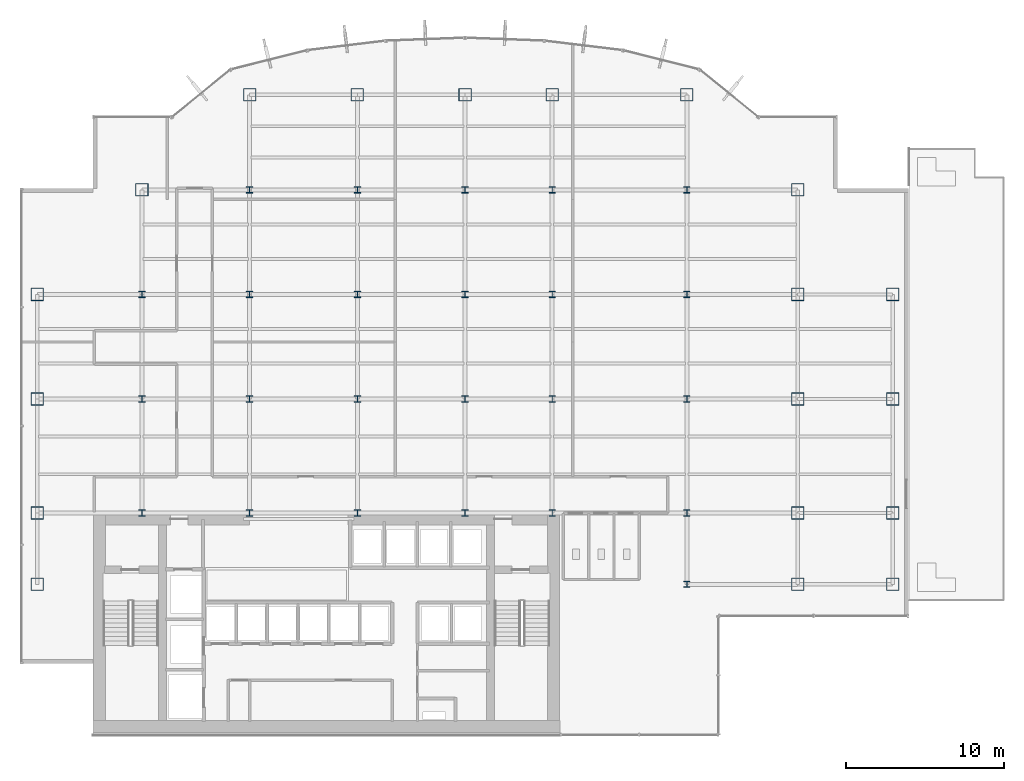
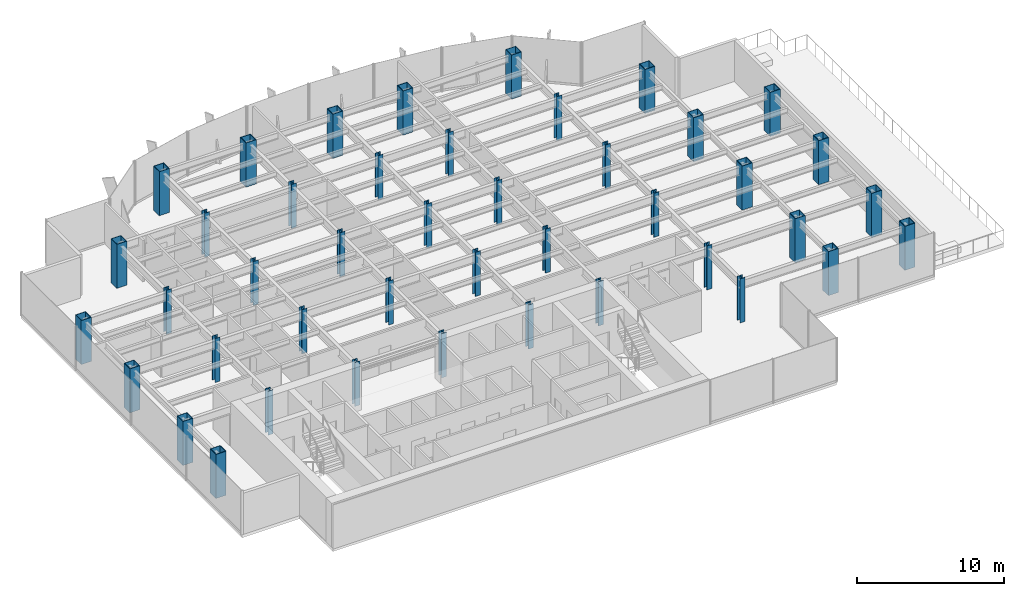
# One storey, part 1 of 25: 43 columns.
"""IFC4 building model written with IfcOpenShell, lengths in metres."""

import ifcopenshell
import ifcopenshell.guid

model = None  # the IFC model being written
_history = None  # IfcOwnerHistory: only IFC2X3 demands one
_inside = {}  # id of a spatial element -> (the spatial element, [elements in it])
_under = {}  # id of a project, library or spatial element -> (it, [spatial elements below it])
_declared = {}  # id of a project -> (the project, [libraries it declares])
_typed = {}  # id of a type object -> (the type object, [elements of that type])
_made_of = {}  # id of a material, layer set ... -> (it, [elements and type objects made of it])


def new_model(schema):
    """Start an empty IFC model of exactly this schema.

    Asked for "IFC4X3", IfcOpenShell would pick the latest addendum, in which some entities
    have other attributes; the version numbers below select the first issue.
    IFC2X3 requires an IfcOwnerHistory on every rooted entity: one is made here for all.
    """
    global model, _history
    if schema == "IFC4X3":
        model = ifcopenshell.file(schema_version=(4, 3, 0, 0))
    else:
        model = ifcopenshell.file(schema=schema)
    _inside.clear()
    _under.clear()
    _declared.clear()
    _typed.clear()
    _made_of.clear()
    _history = None
    if model.schema == "IFC2X3":
        org = make("IfcOrganization", Name="unknown")
        user = make(
            "IfcPersonAndOrganization",
            ThePerson=make("IfcPerson", FamilyName="unknown"),
            TheOrganization=org,
        )
        app = make(
            "IfcApplication",
            ApplicationDeveloper=org,
            Version="unknown",
            ApplicationFullName="unknown",
            ApplicationIdentifier="unknown",
        )
        _history = make(
            "IfcOwnerHistory",
            OwningUser=user,
            OwningApplication=app,
            ChangeAction="ADDED",
            CreationDate=0,
        )
    return model


def make(cls, **values):
    """One entity of the class cls with the attributes given. An attribute that is None is left unset."""
    return model.create_entity(
        cls, **{name: value for name, value in values.items() if value is not None}
    )


def rooted(cls, **values):
    """An entity with a GlobalId (a new one), such as an element, a storey or a relation."""
    return make(cls, GlobalId=ifcopenshell.guid.new(), OwnerHistory=_history, **values)


def si_unit(unit_type, name, prefix=None):
    """IfcSIUnit, for example si_unit("LENGTHUNIT", "METRE", prefix="MILLI")."""
    return make("IfcSIUnit", UnitType=unit_type, Prefix=prefix, Name=name)


def derived_unit(unit_type, elements):
    """IfcDerivedUnit: a product of units, each with its exponent."""
    return make(
        "IfcDerivedUnit",
        Elements=[
            make("IfcDerivedUnitElement", Unit=unit, Exponent=power)
            for unit, power in elements
        ],
        UnitType=unit_type,
    )


def assignment(units):
    """IfcUnitAssignment: the units of a project."""
    return None if units is None else make("IfcUnitAssignment", Units=units)


def point(xyz):
    """IfcCartesianPoint."""
    return None if xyz is None else make("IfcCartesianPoint", Coordinates=xyz)


def direction(xyz):
    """IfcDirection."""
    return None if xyz is None else make("IfcDirection", DirectionRatios=xyz)


def frame(location, z_axis=None, x_axis=None):
    """IfcAxis2Placement3D, a coordinate frame: its origin and axes. An axis left out is left unset."""
    return make(
        "IfcAxis2Placement3D",
        Location=point(location),
        Axis=direction(z_axis),
        RefDirection=direction(x_axis),
    )


def frame_2d(location, x_axis=None):
    """IfcAxis2Placement2D, a coordinate frame in the plane: its origin and x axis."""
    return make(
        "IfcAxis2Placement2D", Location=point(location), RefDirection=direction(x_axis)
    )


def origin():
    """The frame at (0, 0, 0) with its axes left unset."""
    return frame((0.0, 0.0, 0.0))


def origin_2d():
    """The frame at (0, 0) in the plane with its x axis left unset."""
    return frame_2d((0.0, 0.0))


def place(relative_to, where):
    """IfcLocalPlacement: puts the frame where relative to a parent placement (None: the world)."""
    return make(
        "IfcLocalPlacement", PlacementRelTo=relative_to, RelativePlacement=where
    )


def context(
    kind, dimensions, precision=None, world=None, true_north=None, identifier=None
):
    """IfcGeometricRepresentationContext, for example the 3D "Model" context."""
    return make(
        "IfcGeometricRepresentationContext",
        ContextIdentifier=identifier,
        ContextType=kind,
        CoordinateSpaceDimension=dimensions,
        Precision=precision,
        WorldCoordinateSystem=world,
        TrueNorth=true_north,
    )


def subcontext(parent, identifier, kind, view, scale=None):
    """IfcGeometricRepresentationSubContext, for example "Body" below "Model"."""
    return make(
        "IfcGeometricRepresentationSubContext",
        ContextIdentifier=identifier,
        ContextType=kind,
        ParentContext=parent,
        TargetScale=scale,
        TargetView=view,
    )


def project(units=None, contexts=None):
    """IfcProject with its units and contexts."""
    return rooted(
        "IfcProject",
        Name="project",
        RepresentationContexts=contexts,
        UnitsInContext=assignment(units),
    )


def spatial(cls, under=None, at=None, **own):
    """A site, building, storey or space (cls), placed at a placement, below another one or the project."""
    s = rooted(cls, ObjectPlacement=at, **own)
    if under is not None:
        _under.setdefault(under.id(), (under, []))[1].append(s)
    return s


def profile(cls, at=None, kind="AREA", **sizes):
    """A parametric profile (cls). Its sizes go by their IFC names, for example OverallWidth=200.0."""
    return make(cls, ProfileType=kind, Position=at, **sizes)


def hollow_rectangle(**sizes):
    """IfcRectangleHollowProfileDef."""
    return profile("IfcRectangleHollowProfileDef", **sizes)


def i_section(**sizes):
    """IfcIShapeProfileDef."""
    return profile("IfcIShapeProfileDef", **sizes)


def extrude(swept, where, along, depth):
    """IfcExtrudedAreaSolid: the profile swept, set in the frame where, extruded along a direction by depth."""
    return make(
        "IfcExtrudedAreaSolid",
        SweptArea=swept,
        Position=where,
        ExtrudedDirection=direction(along),
        Depth=depth,
    )


def shape(context_of_items, identifier, shape_type, items):
    """IfcShapeRepresentation: the items that make up one representation, for example the "Body"."""
    return make(
        "IfcShapeRepresentation",
        ContextOfItems=context_of_items,
        RepresentationIdentifier=identifier,
        RepresentationType=shape_type,
        Items=items,
    )


def source(mapping_origin, context_of_items, identifier, shape_type, items):
    """IfcRepresentationMap: a shape defined once, which mapped items show again and again."""
    return make(
        "IfcRepresentationMap",
        MappingOrigin=mapping_origin,
        MappedRepresentation=shape(context_of_items, identifier, shape_type, items),
    )


def transform(
    local_origin,
    x_axis=None,
    y_axis=None,
    z_axis=None,
    scale=None,
    scale2=None,
    scale3=None,
    uniform=True,
):
    """IfcCartesianTransformationOperator3D, or its non-uniform kind. x_axis, y_axis, z_axis: its Axis1, 2, 3."""
    if uniform:
        return make(
            "IfcCartesianTransformationOperator3D",
            Axis1=direction(x_axis),
            Axis2=direction(y_axis),
            LocalOrigin=point(local_origin),
            Scale=scale,
            Axis3=direction(z_axis),
        )
    return make(
        "IfcCartesianTransformationOperator3DnonUniform",
        Axis1=direction(x_axis),
        Axis2=direction(y_axis),
        LocalOrigin=point(local_origin),
        Scale=scale,
        Axis3=direction(z_axis),
        Scale2=scale2,
        Scale3=scale3,
    )


def mapped(mapping_source, mapping_target):
    """IfcMappedItem: shows the shape of a source again, moved by a transform."""
    return make(
        "IfcMappedItem", MappingSource=mapping_source, MappingTarget=mapping_target
    )


def material(Name=None, Category=None):
    """IfcMaterial."""
    return make("IfcMaterial", Name=Name, Category=Category)


def material_profile(
    of_material, cross_section, Name=None, Category=None, Priority=None
):
    """IfcMaterialProfile: a cross section and its material."""
    return make(
        "IfcMaterialProfile",
        Name=Name,
        Material=of_material,
        Profile=cross_section,
        Priority=Priority,
        Category=Category,
    )


def profile_set(profiles, Name=None, composite=None):
    """IfcMaterialProfileSet."""
    return make(
        "IfcMaterialProfileSet",
        Name=Name,
        MaterialProfiles=profiles,
        CompositeProfile=composite,
    )


def made_of(thing, what):
    """Note that an element or type object is made of a material, layer set ...; save() writes the relation."""
    if what is not None:
        _made_of.setdefault(what.id(), (what, []))[1].append(thing)
    return thing


def type_object(cls, material=None, **own):
    """A type object (cls), such as IfcWallType, which elements share."""
    return made_of(rooted(cls, **own), material)


def element(
    cls,
    number,
    at=None,
    inside=None,
    cuts=None,
    type_object=None,
    material=None,
    context=None,
    identifier="Body",
    shape_type=None,
    held_by="IfcProductDefinitionShape",
    body=None,
    shapes=None,
    **own,
):
    """One element of the class cls, such as IfcWall. Its Tag is "e" and its number.

    at: its placement. inside: the storey or other place that contains it. cuts: it is an
    opening in that element (IfcRelVoidsElement). A single representation is given by context,
    identifier, shape_type and body (its items); several are given by shapes. held_by: the class
    of the entity that holds the representations. save() writes the other relations.
    """
    e = rooted(cls, Tag="e%d" % number, ObjectPlacement=at, **own)
    if body is not None:
        shapes = [shape(context, identifier, shape_type, body)]
    if shapes is not None:
        e.Representation = make(held_by, Representations=shapes)
    if inside is not None:
        _inside.setdefault(inside.id(), (inside, []))[1].append(e)
    if cuts is not None:
        rooted(
            "IfcRelVoidsElement", RelatingBuildingElement=cuts, RelatedOpeningElement=e
        )
    if type_object is not None:
        _typed.setdefault(type_object.id(), (type_object, []))[1].append(e)
    return made_of(e, material)


def aggregate(whole, parts):
    """IfcRelAggregates: a whole, such as a stair, and the parts it consists of."""
    return rooted("IfcRelAggregates", RelatingObject=whole, RelatedObjects=parts)


def save(model, path):
    """Write the relations noted so far, then the file.

    IfcRelAggregates (storeys below a building ...), IfcRelContainedInSpatialStructure (elements
    in a storey), IfcRelDefinesByType, IfcRelAssociatesMaterial and IfcRelDeclares: one each for
    every whole, place, type object, material and project.
    """
    for whole, parts in _under.values():
        aggregate(whole, parts)
    for where, things in _inside.values():
        rooted(
            "IfcRelContainedInSpatialStructure",
            RelatedElements=things,
            RelatingStructure=where,
        )
    for kind, things in _typed.values():
        rooted("IfcRelDefinesByType", RelatedObjects=things, RelatingType=kind)
    for what, things in _made_of.values():
        rooted("IfcRelAssociatesMaterial", RelatedObjects=things, RelatingMaterial=what)
    for by, libraries in _declared.values():
        rooted("IfcRelDeclares", RelatingContext=by, RelatedDefinitions=libraries)
    model.write(path)


model = new_model("IFC4")

# Units and contexts
model_context = context("Model", 3, precision=1e-05, world=origin(), true_north=direction((0.0, 1.0)))
body_context = subcontext(model_context, "Body", "Model", "MODEL_VIEW")
ifc_project = project(units=[si_unit("LENGTHUNIT", "METRE"), si_unit("AREAUNIT", "SQUARE_METRE"), si_unit("VOLUMEUNIT", "CUBIC_METRE"), si_unit("PLANEANGLEUNIT", "RADIAN"), si_unit("MASSUNIT", "GRAM", prefix="KILO"), derived_unit("THERMALTRANSMITTANCEUNIT", [(si_unit("POWERUNIT", "WATT"), 1), (si_unit("LENGTHUNIT", "METRE"), -2), (si_unit("THERMODYNAMICTEMPERATUREUNIT", "KELVIN"), -1)])], contexts=[model_context])

# Site, building, storey
site_placement = place(None, origin())
site = spatial("IfcSite", under=ifc_project, at=site_placement, CompositionType="ELEMENT")
building_placement = place(site_placement, origin())
building = spatial("IfcBuilding", under=site, at=building_placement, Name="Skarnbrae Concourse Arena and Tower", CompositionType="ELEMENT")
storey_placement = place(building_placement, frame((0.0, 0.0, 88.64990234375)))
storey = spatial("IfcBuildingStorey", under=building, at=storey_placement, Name="L21", CompositionType="ELEMENT", Elevation=88.64990234375)

# Columns
ifc_material = material(Name="Steel CSA G40.21 350W", Category="steel")
ifc_material_profile_1 = material_profile(ifc_material, hollow_rectangle(XDim=0.800048828125, YDim=0.800048828125, WallThickness=0.0400390625, at=origin_2d()), Name="BOX800X800X40")
ifc_profile_set_1 = profile_set([ifc_material_profile_1], Name="Steel CSA G40.21 350W")
column_type_1 = type_object("IfcColumnType", Name="COL-TUBE-BOX800", PredefinedType="COLUMN", material=ifc_profile_set_1)
shared_shape_1 = source(origin(), body_context, "Body", "SweptSolid", [
    extrude(hollow_rectangle(XDim=0.800048828125, YDim=0.800048828125, WallThickness=0.0400390625, at=origin_2d()), origin(), (0.0, 0.0, 1.0), 3.650146484375),
])
for number, where, z_axis, x_axis, name in (
    (1, (1.0, 9.5, 0.0), (0.0, 0.0, 1.0), (1.0, 0.0, 0.0), "L21 Tower column PC_01_01"),
    (2, (1.0, 14.0, 0.0), (0.0, 0.0, 1.0), (1.0, 0.0, 0.0), "L21 Tower column PC_01_02"),
    (3, (1.0, 21.199951171875, 0.0), (0.0, 0.0, 1.0), (1.0, 0.0, 0.0), "L21 Tower column PC_01_03"),
    (4, (1.0, 27.800048828125, 0.0), (0.0, 0.0, 1.0), (1.0, 0.0, 0.0), "L21 Tower column PC_01_04"),
    (5, (7.60009765625, 34.39990234375, 0.0), (0.0, 0.0, 1.0), (1.0, 0.0, 0.0), "L21 Tower column PC_02_05"),
    (6, (14.39990234375, 40.39990234375, 0.0), (0.0, 0.0, 1.0), (1.0, 0.0, 0.0), "L21 Tower column PC_03_06"),
    (7, (21.199951171875, 40.39990234375, 0.0), (0.0, 0.0, 1.0), (1.0, 0.0, 0.0), "L21 Tower column PC_04_06"),
    (8, (28.0, 40.39990234375, 0.0), (0.0, 0.0, 1.0), (1.0, 0.0, 0.0), "L21 Tower column PC_05_06"),
    (9, (33.5, 40.39990234375, 0.0), (0.0, 0.0, 1.0), (1.0, 0.0, 0.0), "L21 Tower column PC_06_06"),
    (10, (42.0, 40.39990234375, 0.0), (0.0, 0.0, 1.0), (1.0, 0.0, 0.0), "L21 Tower column PC_07_06"),
    (11, (49.0, 9.5, 0.0), (0.0, 0.0, 1.0), (1.0, 0.0, 0.0), "L21 Tower column PC_08_01"),
    (12, (49.0, 14.0, 0.0), (0.0, 0.0, 1.0), (1.0, 0.0, 0.0), "L21 Tower column PC_08_02"),
    (13, (49.0, 21.199951171875, 0.0), (0.0, 0.0, 1.0), (1.0, 0.0, 0.0), "L21 Tower column PC_08_03"),
    (14, (49.0, 27.800048828125, 0.0), (0.0, 0.0, 1.0), (1.0, 0.0, 0.0), "L21 Tower column PC_08_04"),
    (15, (49.0, 34.39990234375, 0.0), (0.0, 0.0, 1.0), (1.0, 0.0, 0.0), "L21 Tower column PC_08_05"),
    (16, (55.0, 9.5, 0.0), (0.0, 0.0, 1.0), (1.0, 0.0, 0.0), "L21 Tower column PC_09_01"),
    (17, (55.0, 14.0, 0.0), (0.0, 0.0, 1.0), (1.0, 0.0, 0.0), "L21 Tower column PC_09_02"),
    (18, (55.0, 21.199951171875, 0.0), (0.0, 0.0, 1.0), (1.0, 0.0, 0.0), "L21 Tower column PC_09_03"),
    (19, (55.0, 27.800048828125, 0.0), (0.0, 0.0, 1.0), (1.0, 0.0, 0.0), "L21 Tower column PC_09_04"),
):
    element("IfcColumn", number, at=place(storey_placement, frame(where, z_axis=z_axis, x_axis=x_axis)), inside=storey, type_object=column_type_1, Name=name, PredefinedType="COLUMN", context=body_context, shape_type="MappedRepresentation", body=[
        mapped(shared_shape_1, transform((0.0, 0.0, 0.0))),
    ])
ifc_material_profile_2 = material_profile(ifc_material, i_section(OverallWidth=0.39892578125, OverallDepth=0.39306640625, WebThickness=0.022705078125, FlangeThickness=0.03662109375, at=origin_2d()), Name="W360X287")
ifc_profile_set_2 = profile_set([ifc_material_profile_2], Name="Steel CSA G40.21 350W")
column_type_2 = type_object("IfcColumnType", Name="COL-INT-W360X287", PredefinedType="COLUMN", material=ifc_profile_set_2)
shared_shape_2 = source(origin(), body_context, "Body", "SweptSolid", [
    extrude(i_section(OverallWidth=0.39892578125, OverallDepth=0.39306640625, WebThickness=0.022705078125, FlangeThickness=0.03662109375, at=origin_2d()), origin(), (0.0, 0.0, 1.0), 3.650146484375),
])
for number, where, z_axis, x_axis, name in (
    (20, (7.60009765625, 14.0, 0.0), (0.0, 0.0, 1.0), (1.0, 0.0, 0.0), "L21 Tower column IC_02_02"),
    (21, (7.60009765625, 21.199951171875, 0.0), (0.0, 0.0, 1.0), (1.0, 0.0, 0.0), "L21 Tower column IC_02_03"),
    (22, (7.60009765625, 27.800048828125, 0.0), (0.0, 0.0, 1.0), (1.0, 0.0, 0.0), "L21 Tower column IC_02_04"),
    (23, (14.39990234375, 14.0, 0.0), (0.0, 0.0, 1.0), (1.0, 0.0, 0.0), "L21 Tower column IC_03_02"),
    (24, (14.39990234375, 21.199951171875, 0.0), (0.0, 0.0, 1.0), (1.0, 0.0, 0.0), "L21 Tower column IC_03_03"),
    (25, (14.39990234375, 27.800048828125, 0.0), (0.0, 0.0, 1.0), (1.0, 0.0, 0.0), "L21 Tower column IC_03_04"),
    (26, (14.39990234375, 34.39990234375, 0.0), (0.0, 0.0, 1.0), (1.0, 0.0, 0.0), "L21 Tower column IC_03_05"),
    (27, (21.199951171875, 14.0, 0.0), (0.0, 0.0, 1.0), (1.0, 0.0, 0.0), "L21 Tower column IC_04_02"),
    (28, (21.199951171875, 21.199951171875, 0.0), (0.0, 0.0, 1.0), (1.0, 0.0, 0.0), "L21 Tower column IC_04_03"),
    (29, (21.199951171875, 27.800048828125, 0.0), (0.0, 0.0, 1.0), (1.0, 0.0, 0.0), "L21 Tower column IC_04_04"),
    (30, (21.199951171875, 34.39990234375, 0.0), (0.0, 0.0, 1.0), (1.0, 0.0, 0.0), "L21 Tower column IC_04_05"),
    (31, (28.0, 14.0, 0.0), (0.0, 0.0, 1.0), (1.0, 0.0, 0.0), "L21 Tower column IC_05_02"),
    (32, (28.0, 21.199951171875, 0.0), (0.0, 0.0, 1.0), (1.0, 0.0, 0.0), "L21 Tower column IC_05_03"),
    (33, (28.0, 27.800048828125, 0.0), (0.0, 0.0, 1.0), (1.0, 0.0, 0.0), "L21 Tower column IC_05_04"),
    (34, (28.0, 34.39990234375, 0.0), (0.0, 0.0, 1.0), (1.0, 0.0, 0.0), "L21 Tower column IC_05_05"),
    (35, (33.5, 14.0, 0.0), (0.0, 0.0, 1.0), (1.0, 0.0, 0.0), "L21 Tower column IC_06_02"),
    (36, (33.5, 21.199951171875, 0.0), (0.0, 0.0, 1.0), (1.0, 0.0, 0.0), "L21 Tower column IC_06_03"),
    (37, (33.5, 27.800048828125, 0.0), (0.0, 0.0, 1.0), (1.0, 0.0, 0.0), "L21 Tower column IC_06_04"),
    (38, (33.5, 34.39990234375, 0.0), (0.0, 0.0, 1.0), (1.0, 0.0, 0.0), "L21 Tower column IC_06_05"),
    (39, (42.0, 9.5, 0.0), (0.0, 0.0, 1.0), (1.0, 0.0, 0.0), "L21 Tower column IC_07_01"),
    (40, (42.0, 14.0, 0.0), (0.0, 0.0, 1.0), (1.0, 0.0, 0.0), "L21 Tower column IC_07_02"),
    (41, (42.0, 21.199951171875, 0.0), (0.0, 0.0, 1.0), (1.0, 0.0, 0.0), "L21 Tower column IC_07_03"),
    (42, (42.0, 27.800048828125, 0.0), (0.0, 0.0, 1.0), (1.0, 0.0, 0.0), "L21 Tower column IC_07_04"),
    (43, (42.0, 34.39990234375, 0.0), (0.0, 0.0, 1.0), (1.0, 0.0, 0.0), "L21 Tower column IC_07_05"),
):
    element("IfcColumn", number, at=place(storey_placement, frame(where, z_axis=z_axis, x_axis=x_axis)), inside=storey, type_object=column_type_2, Name=name, PredefinedType="COLUMN", context=body_context, shape_type="MappedRepresentation", body=[
        mapped(shared_shape_2, transform((0.0, 0.0, 0.0))),
    ])

save(model, "model.ifc")
